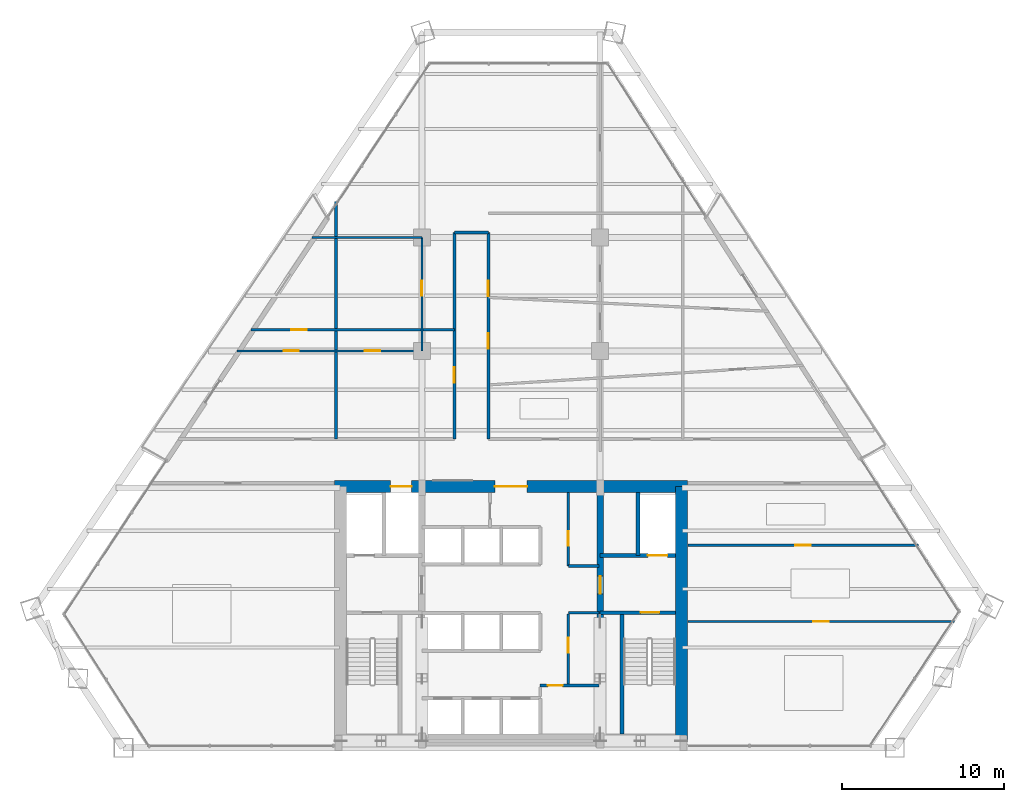
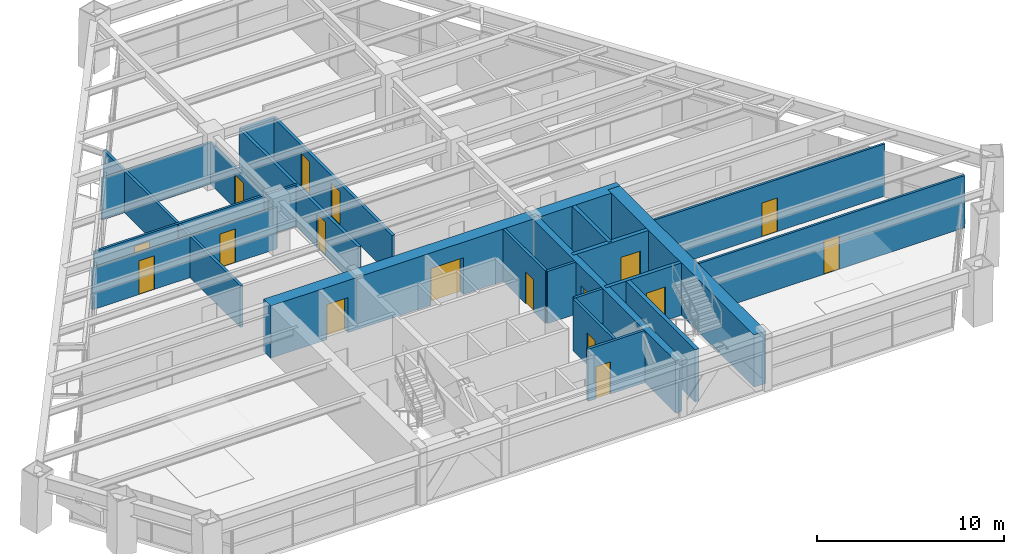
# One storey, part 11 of 14: 22 walls, 17 doors, 17 openings.
"""IFC4 building model written with IfcOpenShell, lengths in metres."""

import ifcopenshell
import ifcopenshell.guid

model = None  # the IFC model being written
_history = None  # IfcOwnerHistory: only IFC2X3 demands one
_inside = {}  # id of a spatial element -> (the spatial element, [elements in it])
_under = {}  # id of a project, library or spatial element -> (it, [spatial elements below it])
_declared = {}  # id of a project -> (the project, [libraries it declares])
_typed = {}  # id of a type object -> (the type object, [elements of that type])
_made_of = {}  # id of a material, layer set ... -> (it, [elements and type objects made of it])


def new_model(schema):
    """Start an empty IFC model of exactly this schema.

    Asked for "IFC4X3", IfcOpenShell would pick the latest addendum, in which some entities
    have other attributes; the version numbers below select the first issue.
    IFC2X3 requires an IfcOwnerHistory on every rooted entity: one is made here for all.
    """
    global model, _history
    if schema == "IFC4X3":
        model = ifcopenshell.file(schema_version=(4, 3, 0, 0))
    else:
        model = ifcopenshell.file(schema=schema)
    _inside.clear()
    _under.clear()
    _declared.clear()
    _typed.clear()
    _made_of.clear()
    _history = None
    if model.schema == "IFC2X3":
        org = make("IfcOrganization", Name="unknown")
        user = make(
            "IfcPersonAndOrganization",
            ThePerson=make("IfcPerson", FamilyName="unknown"),
            TheOrganization=org,
        )
        app = make(
            "IfcApplication",
            ApplicationDeveloper=org,
            Version="unknown",
            ApplicationFullName="unknown",
            ApplicationIdentifier="unknown",
        )
        _history = make(
            "IfcOwnerHistory",
            OwningUser=user,
            OwningApplication=app,
            ChangeAction="ADDED",
            CreationDate=0,
        )
    return model


def make(cls, **values):
    """One entity of the class cls with the attributes given. An attribute that is None is left unset."""
    return model.create_entity(
        cls, **{name: value for name, value in values.items() if value is not None}
    )


def rooted(cls, **values):
    """An entity with a GlobalId (a new one), such as an element, a storey or a relation."""
    return make(cls, GlobalId=ifcopenshell.guid.new(), OwnerHistory=_history, **values)


def si_unit(unit_type, name, prefix=None):
    """IfcSIUnit, for example si_unit("LENGTHUNIT", "METRE", prefix="MILLI")."""
    return make("IfcSIUnit", UnitType=unit_type, Prefix=prefix, Name=name)


def assignment(units):
    """IfcUnitAssignment: the units of a project."""
    return None if units is None else make("IfcUnitAssignment", Units=units)


def point(xyz):
    """IfcCartesianPoint."""
    return None if xyz is None else make("IfcCartesianPoint", Coordinates=xyz)


def direction(xyz):
    """IfcDirection."""
    return None if xyz is None else make("IfcDirection", DirectionRatios=xyz)


def frame(location, z_axis=None, x_axis=None):
    """IfcAxis2Placement3D, a coordinate frame: its origin and axes. An axis left out is left unset."""
    return make(
        "IfcAxis2Placement3D",
        Location=point(location),
        Axis=direction(z_axis),
        RefDirection=direction(x_axis),
    )


def frame_2d(location, x_axis=None):
    """IfcAxis2Placement2D, a coordinate frame in the plane: its origin and x axis."""
    return make(
        "IfcAxis2Placement2D", Location=point(location), RefDirection=direction(x_axis)
    )


def origin():
    """The frame at (0, 0, 0) with its axes left unset."""
    return frame((0.0, 0.0, 0.0))


def place(relative_to, where):
    """IfcLocalPlacement: puts the frame where relative to a parent placement (None: the world)."""
    return make(
        "IfcLocalPlacement", PlacementRelTo=relative_to, RelativePlacement=where
    )


def context(
    kind, dimensions, precision=None, world=None, true_north=None, identifier=None
):
    """IfcGeometricRepresentationContext, for example the 3D "Model" context."""
    return make(
        "IfcGeometricRepresentationContext",
        ContextIdentifier=identifier,
        ContextType=kind,
        CoordinateSpaceDimension=dimensions,
        Precision=precision,
        WorldCoordinateSystem=world,
        TrueNorth=true_north,
    )


def subcontext(parent, identifier, kind, view, scale=None):
    """IfcGeometricRepresentationSubContext, for example "Body" below "Model"."""
    return make(
        "IfcGeometricRepresentationSubContext",
        ContextIdentifier=identifier,
        ContextType=kind,
        ParentContext=parent,
        TargetScale=scale,
        TargetView=view,
    )


def project(units=None, contexts=None):
    """IfcProject with its units and contexts."""
    return rooted(
        "IfcProject",
        Name="project",
        RepresentationContexts=contexts,
        UnitsInContext=assignment(units),
    )


def spatial(cls, under=None, at=None, **own):
    """A site, building, storey or space (cls), placed at a placement, below another one or the project."""
    s = rooted(cls, ObjectPlacement=at, **own)
    if under is not None:
        _under.setdefault(under.id(), (under, []))[1].append(s)
    return s


def profile(cls, at=None, kind="AREA", **sizes):
    """A parametric profile (cls). Its sizes go by their IFC names, for example OverallWidth=200.0."""
    return make(cls, ProfileType=kind, Position=at, **sizes)


def rectangle(**sizes):
    """IfcRectangleProfileDef."""
    return profile("IfcRectangleProfileDef", **sizes)


def extrude(swept, where, along, depth):
    """IfcExtrudedAreaSolid: the profile swept, set in the frame where, extruded along a direction by depth."""
    return make(
        "IfcExtrudedAreaSolid",
        SweptArea=swept,
        Position=where,
        ExtrudedDirection=direction(along),
        Depth=depth,
    )


def shape(context_of_items, identifier, shape_type, items):
    """IfcShapeRepresentation: the items that make up one representation, for example the "Body"."""
    return make(
        "IfcShapeRepresentation",
        ContextOfItems=context_of_items,
        RepresentationIdentifier=identifier,
        RepresentationType=shape_type,
        Items=items,
    )


def source(mapping_origin, context_of_items, identifier, shape_type, items):
    """IfcRepresentationMap: a shape defined once, which mapped items show again and again."""
    return make(
        "IfcRepresentationMap",
        MappingOrigin=mapping_origin,
        MappedRepresentation=shape(context_of_items, identifier, shape_type, items),
    )


def transform(
    local_origin,
    x_axis=None,
    y_axis=None,
    z_axis=None,
    scale=None,
    scale2=None,
    scale3=None,
    uniform=True,
):
    """IfcCartesianTransformationOperator3D, or its non-uniform kind. x_axis, y_axis, z_axis: its Axis1, 2, 3."""
    if uniform:
        return make(
            "IfcCartesianTransformationOperator3D",
            Axis1=direction(x_axis),
            Axis2=direction(y_axis),
            LocalOrigin=point(local_origin),
            Scale=scale,
            Axis3=direction(z_axis),
        )
    return make(
        "IfcCartesianTransformationOperator3DnonUniform",
        Axis1=direction(x_axis),
        Axis2=direction(y_axis),
        LocalOrigin=point(local_origin),
        Scale=scale,
        Axis3=direction(z_axis),
        Scale2=scale2,
        Scale3=scale3,
    )


def mapped(mapping_source, mapping_target):
    """IfcMappedItem: shows the shape of a source again, moved by a transform."""
    return make(
        "IfcMappedItem", MappingSource=mapping_source, MappingTarget=mapping_target
    )


def material(Name=None, Category=None):
    """IfcMaterial."""
    return make("IfcMaterial", Name=Name, Category=Category)


def layer(
    of_material, thickness, ventilated=None, Name=None, Category=None, Priority=None
):
    """IfcMaterialLayer: one layer of a wall or slab, of a material (None: an air gap)."""
    return make(
        "IfcMaterialLayer",
        Material=of_material,
        LayerThickness=thickness,
        IsVentilated=ventilated,
        Name=Name,
        Category=Category,
        Priority=Priority,
    )


def layer_set(layers, Name=None):
    """IfcMaterialLayerSet."""
    return make("IfcMaterialLayerSet", MaterialLayers=layers, LayerSetName=Name)


def made_of(thing, what):
    """Note that an element or type object is made of a material, layer set ...; save() writes the relation."""
    if what is not None:
        _made_of.setdefault(what.id(), (what, []))[1].append(thing)
    return thing


def type_object(cls, material=None, **own):
    """A type object (cls), such as IfcWallType, which elements share."""
    return made_of(rooted(cls, **own), material)


def type_shapes(of_type, sources):
    """Give a type object the sources (RepresentationMaps) that its elements show as mapped items."""
    of_type.RepresentationMaps = sources


def element(
    cls,
    number,
    at=None,
    inside=None,
    cuts=None,
    type_object=None,
    material=None,
    context=None,
    identifier="Body",
    shape_type=None,
    held_by="IfcProductDefinitionShape",
    body=None,
    shapes=None,
    **own,
):
    """One element of the class cls, such as IfcWall. Its Tag is "e" and its number.

    at: its placement. inside: the storey or other place that contains it. cuts: it is an
    opening in that element (IfcRelVoidsElement). A single representation is given by context,
    identifier, shape_type and body (its items); several are given by shapes. held_by: the class
    of the entity that holds the representations. save() writes the other relations.
    """
    e = rooted(cls, Tag="e%d" % number, ObjectPlacement=at, **own)
    if body is not None:
        shapes = [shape(context, identifier, shape_type, body)]
    if shapes is not None:
        e.Representation = make(held_by, Representations=shapes)
    if inside is not None:
        _inside.setdefault(inside.id(), (inside, []))[1].append(e)
    if cuts is not None:
        rooted(
            "IfcRelVoidsElement", RelatingBuildingElement=cuts, RelatedOpeningElement=e
        )
    if type_object is not None:
        _typed.setdefault(type_object.id(), (type_object, []))[1].append(e)
    return made_of(e, material)


def fill(opening, filler):
    """IfcRelFillsElement: the door or window that sits in an opening."""
    return rooted(
        "IfcRelFillsElement",
        RelatingOpeningElement=opening,
        RelatedBuildingElement=filler,
    )


def aggregate(whole, parts):
    """IfcRelAggregates: a whole, such as a stair, and the parts it consists of."""
    return rooted("IfcRelAggregates", RelatingObject=whole, RelatedObjects=parts)


def save(model, path):
    """Write the relations noted so far, then the file.

    IfcRelAggregates (storeys below a building ...), IfcRelContainedInSpatialStructure (elements
    in a storey), IfcRelDefinesByType, IfcRelAssociatesMaterial and IfcRelDeclares: one each for
    every whole, place, type object, material and project.
    """
    for whole, parts in _under.values():
        aggregate(whole, parts)
    for where, things in _inside.values():
        rooted(
            "IfcRelContainedInSpatialStructure",
            RelatedElements=things,
            RelatingStructure=where,
        )
    for kind, things in _typed.values():
        rooted("IfcRelDefinesByType", RelatedObjects=things, RelatingType=kind)
    for what, things in _made_of.values():
        rooted("IfcRelAssociatesMaterial", RelatedObjects=things, RelatingMaterial=what)
    for by, libraries in _declared.values():
        rooted("IfcRelDeclares", RelatingContext=by, RelatedDefinitions=libraries)
    model.write(path)


model = new_model("IFC4")

# Units and contexts
model_context = context("Model", 3, precision=1e-05, world=origin(), true_north=direction((0.0, 1.0)))
body_context = subcontext(model_context, "Body", "Model", "MODEL_VIEW")
ifc_project = project(units=[si_unit("LENGTHUNIT", "METRE"), si_unit("AREAUNIT", "SQUARE_METRE"), si_unit("VOLUMEUNIT", "CUBIC_METRE"), si_unit("PLANEANGLEUNIT", "RADIAN"), si_unit("MASSUNIT", "GRAM", prefix="KILO")], contexts=[model_context])

# Site, building, storey
site_placement = place(None, origin())
site = spatial("IfcSite", under=ifc_project, at=site_placement, CompositionType="ELEMENT")
building_placement = place(site_placement, origin())
building = spatial("IfcBuilding", under=site, at=building_placement, Name="Varnakhor Terracotta Tower", CompositionType="ELEMENT")
storey_placement = place(building_placement, frame((0.0, 0.0, 117.300048828125)))
storey = spatial("IfcBuildingStorey", under=building, at=storey_placement, Name="L29", CompositionType="ELEMENT", Elevation=117.300048828125)

# Wall, openings, doors
ifc_material_1 = material(Name="Concrete C60/75", Category="concrete")
ifc_layer_1 = layer(ifc_material_1, 0.75, Name="Concrete C60/75")
ifc_layer_set_1 = layer_set([ifc_layer_1], Name="Concrete C60/75")
wall_type_1 = type_object("IfcWallType", Name="WAL-CORE-750", PredefinedType="SHEAR", material=ifc_layer_set_1)
wall_1_placement = place(storey_placement, frame((-10.89990234375, 16.125, 0.0), z_axis=(0.0, 0.0, 1.0), x_axis=(1.0, 0.0, 0.0)))
wall_1 = element("IfcWall", 1, at=wall_1_placement, inside=storey, type_object=wall_type_1, Name="L29 North Core Shear Wall", PredefinedType="SHEAR", context=body_context, shape_type="SweptSolid", body=[
    extrude(rectangle(XDim=21.7998046875, YDim=0.75, at=frame_2d((10.89990234375, 0.0))), origin(), (0.0, 0.0, 1.0), 3.419921875),
])
opening_1_placement = place(wall_1_placement, frame((3.469970703125, 0.0, 0.0)))
opening_1 = element("IfcOpeningElement", 2, at=opening_1_placement, cuts=wall_1, Name="Opening LD-03", PredefinedType="OPENING", context=body_context, shape_type="SweptSolid", body=[
    extrude(rectangle(XDim=1.300048828125, YDim=2.300048828125, at=frame_2d((0.64990234375, 1.14990234375))), frame((0.0, 0.385009765625, 0.0), z_axis=(0.0, -1.0, 0.0), x_axis=(1.0, 0.0, 0.0)), (0.0, 0.0, 1.0), 0.77001953125),
])
opening_2_placement = place(wall_1_placement, frame((9.89990234375, 0.0, 0.0)))
opening_2 = element("IfcOpeningElement", 3, at=opening_2_placement, cuts=wall_1, Name="Opening DR-32", PredefinedType="OPENING", context=body_context, shape_type="SweptSolid", body=[
    extrude(rectangle(XDim=2.0, YDim=2.39990234375, at=frame_2d((1.0, 1.199951171875))), frame((0.0, 0.385009765625, 0.0), z_axis=(0.0, -1.0, 0.0), x_axis=(1.0, 0.0, 0.0)), (0.0, 0.0, 1.0), 0.77001953125),
])
ifc_material_2 = material(Name="Heavy-Duty Goods Sliding Lift Landing Door", Category="steel")
door_type_1 = type_object("IfcDoorType", Name="LD-SRV-1300X2300", OperationType="NOTDEFINED", PredefinedType="DOOR", material=ifc_material_2)
shared_shape_1 = source(origin(), body_context, "Body", "SweptSolid", [
    extrude(rectangle(XDim=1.300048828125, YDim=2.300048828125, at=frame_2d((0.64990234375, 1.14990234375))), frame((0.0, 0.02490234375, 0.0), z_axis=(0.0, -1.0, 0.0), x_axis=(1.0, 0.0, 0.0)), (0.0, 0.0, 1.0), 0.050048828125),
])
type_shapes(door_type_1, [shared_shape_1])
door_1_placement = place(opening_1_placement, origin())
door_1 = element("IfcDoor", 4, at=door_1_placement, inside=storey, type_object=door_type_1, Name="L29 Service Lift SVL-1 Landing Door", OperationType="SLIDING_TO_RIGHT", OverallHeight=2.300048828125, OverallWidth=1.300048828125, PredefinedType="DOOR", context=body_context, shape_type="MappedRepresentation", body=[
    mapped(shared_shape_1, transform((0.0, 0.0, 0.0), scale=1.0)),
])
fill(opening_1, door_1)
ifc_material_3 = material(Name="Acoustic Double Assembly Fire Door", Category="wood")
door_type_2 = type_object("IfcDoorType", Name="DR-HALL-2000X2400", OperationType="NOTDEFINED", PredefinedType="DOOR", material=ifc_material_3)
shared_shape_2 = source(origin(), body_context, "Body", "SweptSolid", [
    extrude(rectangle(XDim=2.0, YDim=2.39990234375, at=frame_2d((1.0, 1.199951171875))), frame((0.0, 0.02490234375, 0.0), z_axis=(0.0, -1.0, 0.0), x_axis=(1.0, 0.0, 0.0)), (0.0, 0.0, 1.0), 0.050048828125),
])
type_shapes(door_type_2, [shared_shape_2])
door_2_placement = place(opening_2_placement, origin())
door_2 = element("IfcDoor", 5, at=door_2_placement, inside=storey, type_object=door_type_2, Name="L29 Core Main Lobby Double Door", OperationType="DOUBLE_DOOR_SINGLE_SWING", OverallHeight=2.39990234375, OverallWidth=2.0, PredefinedType="DOOR", context=body_context, shape_type="MappedRepresentation", body=[
    mapped(shared_shape_2, transform((0.0, 0.0, 0.0), scale=1.0)),
])
fill(opening_2, door_2)

# Wall
wall_2_placement = place(storey_placement, frame((10.52490234375, 0.47509765625, 0.0), z_axis=(0.0, 0.0, 1.0), x_axis=(0.0, 1.0, 0.0)))
element("IfcWall", 6, at=wall_2_placement, inside=storey, type_object=wall_type_1, Name="L29 East Core Shear Wall", PredefinedType="SHEAR", context=body_context, shape_type="SweptSolid", body=[
    extrude(rectangle(XDim=15.64990234375, YDim=0.75, at=frame_2d((7.824951171875, 0.0))), origin(), (0.0, 0.0, 1.0), 3.419921875),
])

# Wall, opening, door
ifc_material_4 = material(Name="Concrete C50/60", Category="concrete")
ifc_layer_2 = layer(ifc_material_4, 0.39990234375, Name="Concrete C50/60")
ifc_layer_set_2 = layer_set([ifc_layer_2], Name="Concrete C50/60")
wall_type_2 = type_object("IfcWallType", Name="WAL-CORE-WEB-400", PredefinedType="SHEAR", material=ifc_layer_set_2)
wall_3_placement = place(storey_placement, frame((5.5, 0.47509765625, 0.0), z_axis=(0.0, 0.0, 1.0), x_axis=(0.0, 1.0, 0.0)))
wall_3 = element("IfcWall", 7, at=wall_3_placement, inside=storey, type_object=wall_type_2, Name="L29 East Core Web Shear Wall", PredefinedType="SHEAR", context=body_context, shape_type="SweptSolid", body=[
    extrude(rectangle(XDim=15.64990234375, YDim=0.39990234375, at=frame_2d((7.824951171875, 0.0))), origin(), (0.0, 0.0, 1.0), 3.419921875),
])
opening_3_placement = place(wall_3_placement, frame((9.02490234375, 0.0, 0.0)))
opening_3 = element("IfcOpeningElement", 8, at=opening_3_placement, cuts=wall_3, Name="Opening DR-25", PredefinedType="OPENING", context=body_context, shape_type="SweptSolid", body=[
    extrude(rectangle(XDim=1.10009765625, YDim=2.199951171875, at=frame_2d((0.550048828125, 1.10009765625))), frame((0.0, 0.2099609375, 0.0), z_axis=(0.0, -1.0, 0.0), x_axis=(1.0, 0.0, 0.0)), (0.0, 0.0, 1.0), 0.419921875),
])
ifc_material_5 = material(Name="Firefighting Lobby Self-Closing Fire Door", Category="steel")
door_type_3 = type_object("IfcDoorType", Name="DR-FFL-1100X2200", OperationType="NOTDEFINED", PredefinedType="DOOR", material=ifc_material_5)
shared_shape_3 = source(origin(), body_context, "Body", "SweptSolid", [
    extrude(rectangle(XDim=1.10009765625, YDim=2.199951171875, at=frame_2d((0.550048828125, 1.10009765625))), frame((0.0, 0.02490234375, 0.0), z_axis=(0.0, -1.0, 0.0), x_axis=(1.0, 0.0, 0.0)), (0.0, 0.0, 1.0), 0.050048828125),
])
type_shapes(door_type_3, [shared_shape_3])
door_3_placement = place(opening_3_placement, origin())
door_3 = element("IfcDoor", 9, at=door_3_placement, inside=storey, type_object=door_type_3, Name="L29 East Firefighting Lobby Door", OperationType="SINGLE_SWING_LEFT", OverallHeight=2.199951171875, OverallWidth=1.10009765625, PredefinedType="DOOR", context=body_context, shape_type="MappedRepresentation", body=[
    mapped(shared_shape_3, transform((0.0, 0.0, 0.0), scale=1.0)),
])
fill(opening_3, door_3)

ifc_material_6 = material(Name="Fire-Rated Gypsum Stud Partition", Category="gypsum")
ifc_layer_3 = layer(ifc_material_6, 0.18505859375, Name="Fire-Rated Gypsum Stud Partition")
ifc_layer_set_3 = layer_set([ifc_layer_3], Name="Fire-Rated Gypsum Stud Partition")
wall_type_3 = type_object("IfcWallType", Name="WAL-CORR-185", PredefinedType="PARTITIONING", material=ifc_layer_set_3)
wall_4_placement = place(storey_placement, frame((-3.5, 19.050048828125, 0.0), z_axis=(0.0, 0.0, 1.0), x_axis=(0.0, 1.0, 0.0)))
wall_4 = element("IfcWall", 10, at=wall_4_placement, inside=storey, type_object=wall_type_3, Name="L29 Spine West Wall", PredefinedType="PARTITIONING", context=body_context, shape_type="SweptSolid", body=[
    extrude(rectangle(XDim=12.75, YDim=0.18505859375, at=frame_2d((6.375, 0.0))), origin(), (0.0, 0.0, 1.0), 2.717041015625),
])
opening_4_placement = place(wall_4_placement, frame((3.486083984375, 0.0, 0.0)))
opening_4 = element("IfcOpeningElement", 11, at=opening_4_placement, cuts=wall_4, Name="Opening DR-94", PredefinedType="OPENING", context=body_context, shape_type="SweptSolid", body=[
    extrude(rectangle(XDim=0.949951171875, YDim=2.199951171875, at=frame_2d((0.47509765625, 1.10009765625))), frame((0.0, 0.1025390625, 0.0), z_axis=(0.0, -1.0, 0.0), x_axis=(1.0, 0.0, 0.0)), (0.0, 0.0, 1.0), 0.205078125),
])
ifc_material_7 = material(Name="Acoustic Glazed-Vision Timber Office Door", Category="wood")
door_type_4 = type_object("IfcDoorType", Name="DR-OFF-950X2200", OperationType="NOTDEFINED", PredefinedType="DOOR", material=ifc_material_7)
shared_shape_4 = source(origin(), body_context, "Body", "SweptSolid", [
    extrude(rectangle(XDim=0.949951171875, YDim=2.199951171875, at=frame_2d((0.47509765625, 1.10009765625))), frame((0.0, 0.02490234375, 0.0), z_axis=(0.0, -1.0, 0.0), x_axis=(1.0, 0.0, 0.0)), (0.0, 0.0, 1.0), 0.050048828125),
])
type_shapes(door_type_4, [shared_shape_4])
door_4_placement = place(opening_4_placement, origin())
door_4 = element("IfcDoor", 12, at=door_4_placement, inside=storey, type_object=door_type_4, Name="L29 Spine West Door", OperationType="SINGLE_SWING_RIGHT", OverallHeight=2.199951171875, OverallWidth=0.949951171875, PredefinedType="DOOR", context=body_context, shape_type="MappedRepresentation", body=[
    mapped(shared_shape_4, transform((0.0, 0.0, 0.0), scale=1.0)),
])
fill(opening_4, door_4)

# Wall, openings, doors
wall_5_placement = place(storey_placement, frame((-1.39990234375, 19.050048828125, 0.0), z_axis=(0.0, 0.0, 1.0), x_axis=(0.0, 1.0, 0.0)))
wall_5 = element("IfcWall", 13, at=wall_5_placement, inside=storey, type_object=wall_type_3, Name="L29 Spine East Wall", PredefinedType="PARTITIONING", context=body_context, shape_type="SweptSolid", body=[
    extrude(rectangle(XDim=12.75, YDim=0.18505859375, at=frame_2d((6.375, 0.0))), origin(), (0.0, 0.0, 1.0), 2.717041015625),
])
opening_5_placement = place(wall_5_placement, frame((8.830078125, 0.0, 0.0)))
opening_5 = element("IfcOpeningElement", 14, at=opening_5_placement, cuts=wall_5, Name="Opening DR-94", PredefinedType="OPENING", context=body_context, shape_type="SweptSolid", body=[
    extrude(rectangle(XDim=0.949951171875, YDim=2.199951171875, at=frame_2d((0.47509765625, 1.10009765625))), frame((0.0, 0.1025390625, 0.0), z_axis=(0.0, -1.0, 0.0), x_axis=(1.0, 0.0, 0.0)), (0.0, 0.0, 1.0), 0.205078125),
])
opening_6_placement = place(wall_5_placement, frame((5.593017578125, 0.0, 0.0)))
opening_6 = element("IfcOpeningElement", 15, at=opening_6_placement, cuts=wall_5, Name="Opening DR-94", PredefinedType="OPENING", context=body_context, shape_type="SweptSolid", body=[
    extrude(rectangle(XDim=0.949951171875, YDim=2.199951171875, at=frame_2d((0.47509765625, 1.10009765625))), frame((0.0, 0.1025390625, 0.0), z_axis=(0.0, -1.0, 0.0), x_axis=(1.0, 0.0, 0.0)), (0.0, 0.0, 1.0), 0.205078125),
])
door_5_placement = place(opening_5_placement, origin())
door_5 = element("IfcDoor", 16, at=door_5_placement, inside=storey, type_object=door_type_4, Name="L29 Spine East Door", OperationType="SINGLE_SWING_LEFT", OverallHeight=2.199951171875, OverallWidth=0.949951171875, PredefinedType="DOOR", context=body_context, shape_type="MappedRepresentation", body=[
    mapped(shared_shape_4, transform((0.0, 0.0, 0.0), scale=1.0)),
])
fill(opening_5, door_5)
door_6_placement = place(opening_6_placement, origin())
door_6 = element("IfcDoor", 17, at=door_6_placement, inside=storey, type_object=door_type_4, Name="L29 Director Office 3 B12 Door", OperationType="SINGLE_SWING_RIGHT", OverallHeight=2.199951171875, OverallWidth=0.949951171875, PredefinedType="DOOR", context=body_context, shape_type="MappedRepresentation", body=[
    mapped(shared_shape_4, transform((0.0, 0.0, 0.0), scale=1.0)),
])
fill(opening_6, door_6)

# Wall
wall_6_placement = place(storey_placement, frame((-3.5, 31.800048828125, 0.0), z_axis=(0.0, 0.0, 1.0), x_axis=(1.0, 0.0, 0.0)))
element("IfcWall", 18, at=wall_6_placement, inside=storey, type_object=wall_type_3, Name="L29 Spine North End Wall", PredefinedType="PARTITIONING", context=body_context, shape_type="SweptSolid", body=[
    extrude(rectangle(XDim=2.10009765625, YDim=0.18505859375, at=frame_2d((1.050048828125, 0.0))), origin(), (0.0, 0.0, 1.0), 2.717041015625),
])

# Wall, opening, door
ifc_material_8 = material(Name="Concrete C40/50", Category="concrete")
ifc_layer_4 = layer(ifc_material_8, 0.219970703125, Name="Concrete C40/50")
ifc_layer_set_4 = layer_set([ifc_layer_4], Name="Concrete C40/50")
wall_type_4 = type_object("IfcWallType", Name="WAL-FFLOBBY-220", PredefinedType="SOLIDWALL", material=ifc_layer_set_4)
wall_7_placement = place(storey_placement, frame((10.14990234375, 8.35009765625, 0.0), z_axis=(0.0, 0.0, 1.0), x_axis=(-1.0, 0.0, 0.0)))
wall_7 = element("IfcWall", 19, at=wall_7_placement, inside=storey, type_object=wall_type_4, Name="L29 East Firefighting Lobby Stair Wall", PredefinedType="SOLIDWALL", context=body_context, shape_type="SweptSolid", body=[
    extrude(rectangle(XDim=4.64990234375, YDim=0.219970703125, at=frame_2d((2.324951171875, 0.0))), origin(), (0.0, 0.0, 1.0), 3.419921875),
])
opening_7_placement = place(wall_7_placement, frame((1.0, 0.0, 0.0)))
opening_7 = element("IfcOpeningElement", 20, at=opening_7_placement, cuts=wall_7, Name="Opening DR-34", PredefinedType="OPENING", context=body_context, shape_type="SweptSolid", body=[
    extrude(rectangle(XDim=1.14990234375, YDim=2.199951171875, at=frame_2d((0.574951171875, 1.10009765625))), frame((0.0, 0.1201171875, 0.0), z_axis=(0.0, -1.0, 0.0), x_axis=(1.0, 0.0, 0.0)), (0.0, 0.0, 1.0), 0.239990234375),
])
ifc_material_9 = material(Name="Self-Closing Smoke-Sealed Steel Fire Door", Category="steel")
door_type_5 = type_object("IfcDoorType", Name="DR-STAIR-1150X2200", OperationType="NOTDEFINED", PredefinedType="DOOR", material=ifc_material_9)
shared_shape_5 = source(origin(), body_context, "Body", "SweptSolid", [
    extrude(rectangle(XDim=1.14990234375, YDim=2.199951171875, at=frame_2d((0.574951171875, 1.10009765625))), frame((0.0, 0.02490234375, 0.0), z_axis=(0.0, -1.0, 0.0), x_axis=(1.0, 0.0, 0.0)), (0.0, 0.0, 1.0), 0.050048828125),
])
type_shapes(door_type_5, [shared_shape_5])
door_7_placement = place(opening_7_placement, origin())
door_7 = element("IfcDoor", 21, at=door_7_placement, inside=storey, type_object=door_type_5, Name="L29 Exit Stair ST-2 Fire Door", OperationType="SINGLE_SWING_RIGHT", OverallHeight=2.199951171875, OverallWidth=1.14990234375, PredefinedType="DOOR", context=body_context, shape_type="MappedRepresentation", body=[
    mapped(shared_shape_5, transform((0.0, 0.0, 0.0), scale=1.0)),
])
fill(opening_7, door_7)

# Wall, openings, doors
ifc_material_10 = material(Name="Acoustic Metal-Stud Partition", Category="gypsum")
ifc_layer_5 = layer(ifc_material_10, 0.139892578125, Name="Acoustic Metal-Stud Partition")
ifc_layer_set_5 = layer_set([ifc_layer_5], Name="Acoustic Metal-Stud Partition")
wall_type_5 = type_object("IfcWallType", Name="WAL-PART-140", PredefinedType="PARTITIONING", material=ifc_layer_set_5)
wall_8_placement = place(storey_placement, frame((-16.91357421875, 24.5, 0.0), z_axis=(0.0, 0.0, 1.0), x_axis=(1.0, 0.0, 0.0)))
wall_8 = element("IfcWall", 22, at=wall_8_placement, inside=storey, type_object=wall_type_5, Name="L29 West Y24.5 Column Wall", PredefinedType="PARTITIONING", context=body_context, shape_type="SweptSolid", body=[
    extrude(rectangle(XDim=11.41357421875, YDim=0.139892578125, at=frame_2d((5.706787109375, 0.0))), origin(), (0.0, 0.0, 1.0), 2.717041015625),
])
opening_8_placement = place(wall_8_placement, frame((2.8740234375, 0.0, 0.0)))
opening_8 = element("IfcOpeningElement", 23, at=opening_8_placement, cuts=wall_8, Name="Opening DR-94", PredefinedType="OPENING", context=body_context, shape_type="SweptSolid", body=[
    extrude(rectangle(XDim=0.949951171875, YDim=2.199951171875, at=frame_2d((0.47509765625, 1.10009765625))), frame((0.0, 0.080078125, 0.0), z_axis=(0.0, -1.0, 0.0), x_axis=(1.0, 0.0, 0.0)), (0.0, 0.0, 1.0), 0.159912109375),
])
opening_9_placement = place(wall_8_placement, frame((7.884765625, 0.0, 0.0)))
opening_9 = element("IfcOpeningElement", 24, at=opening_9_placement, cuts=wall_8, Name="Opening DR-94", PredefinedType="OPENING", context=body_context, shape_type="SweptSolid", body=[
    extrude(rectangle(XDim=0.949951171875, YDim=2.199951171875, at=frame_2d((0.47509765625, 1.10009765625))), frame((0.0, 0.080078125, 0.0), z_axis=(0.0, -1.0, 0.0), x_axis=(1.0, 0.0, 0.0)), (0.0, 0.0, 1.0), 0.159912109375),
])
door_8_placement = place(opening_8_placement, origin())
door_8 = element("IfcDoor", 25, at=door_8_placement, inside=storey, type_object=door_type_4, Name="L29 Director Office 2 Door", OperationType="SINGLE_SWING_LEFT", OverallHeight=2.199951171875, OverallWidth=0.949951171875, PredefinedType="DOOR", context=body_context, shape_type="MappedRepresentation", body=[
    mapped(shared_shape_4, transform((0.0, 0.0, 0.0), scale=1.0)),
])
fill(opening_8, door_8)
door_9_placement = place(opening_9_placement, origin())
door_9 = element("IfcDoor", 26, at=door_9_placement, inside=storey, type_object=door_type_4, Name="L29 Executive Dining Salon B14 Door", OperationType="SINGLE_SWING_RIGHT", OverallHeight=2.199951171875, OverallWidth=0.949951171875, PredefinedType="DOOR", context=body_context, shape_type="MappedRepresentation", body=[
    mapped(shared_shape_4, transform((0.0, 0.0, 0.0), scale=1.0)),
])
fill(opening_9, door_9)

# Wall, opening, door
wall_9_placement = place(storey_placement, frame((-5.5, 24.5, 0.0), z_axis=(0.0, 0.0, 1.0), x_axis=(0.0, 1.0, 0.0)))
wall_9 = element("IfcWall", 27, at=wall_9_placement, inside=storey, type_object=wall_type_5, Name="L29 West Mid Link Wall", PredefinedType="PARTITIONING", context=body_context, shape_type="SweptSolid", body=[
    extrude(rectangle(XDim=7.0, YDim=0.139892578125, at=frame_2d((3.5, 0.0))), origin(), (0.0, 0.0, 1.0), 2.717041015625),
])
opening_10_placement = place(wall_9_placement, frame((3.393310546875, 0.0, 0.0)))
opening_10 = element("IfcOpeningElement", 28, at=opening_10_placement, cuts=wall_9, Name="Opening DR-94", PredefinedType="OPENING", context=body_context, shape_type="SweptSolid", body=[
    extrude(rectangle(XDim=0.949951171875, YDim=2.199951171875, at=frame_2d((0.47509765625, 1.10009765625))), frame((0.0, 0.080078125, 0.0), z_axis=(0.0, -1.0, 0.0), x_axis=(1.0, 0.0, 0.0)), (0.0, 0.0, 1.0), 0.159912109375),
])
door_10_placement = place(opening_10_placement, origin())
door_10 = element("IfcDoor", 29, at=door_10_placement, inside=storey, type_object=door_type_4, Name="L29 Innovation Workshop Door", OperationType="SINGLE_SWING_LEFT", OverallHeight=2.199951171875, OverallWidth=0.949951171875, PredefinedType="DOOR", context=body_context, shape_type="MappedRepresentation", body=[
    mapped(shared_shape_4, transform((0.0, 0.0, 0.0), scale=1.0)),
])
fill(opening_10, door_10)

# Wall
wall_10_placement = place(storey_placement, frame((-12.26953125, 31.5, 0.0), z_axis=(0.0, 0.0, 1.0), x_axis=(1.0, 0.0, 0.0)))
element("IfcWall", 30, at=wall_10_placement, inside=storey, type_object=wall_type_5, Name="L29 West Y31.5 Column Wall", PredefinedType="PARTITIONING", context=body_context, shape_type="SweptSolid", body=[
    extrude(rectangle(XDim=6.76953125, YDim=0.139892578125, at=frame_2d((3.384765625, 0.0))), origin(), (0.0, 0.0, 1.0), 2.717041015625),
])

# Wall, opening, door
wall_11_placement = place(storey_placement, frame((-16.051025390625, 25.800048828125, 0.0), z_axis=(0.0, 0.0, 1.0), x_axis=(1.0, 0.0, 0.0)))
wall_11 = element("IfcWall", 31, at=wall_11_placement, inside=storey, type_object=wall_type_5, Name="L29 West Wing Cut 1", PredefinedType="PARTITIONING", context=body_context, shape_type="SweptSolid", body=[
    extrude(rectangle(XDim=12.551025390625, YDim=0.139892578125, at=frame_2d((6.275390625, 0.0))), origin(), (0.0, 0.0, 1.0), 2.717041015625),
])
opening_11_placement = place(wall_11_placement, frame((2.4833984375, 0.0, 0.0)))
opening_11 = element("IfcOpeningElement", 32, at=opening_11_placement, cuts=wall_11, Name="Opening DR-94", PredefinedType="OPENING", context=body_context, shape_type="SweptSolid", body=[
    extrude(rectangle(XDim=0.949951171875, YDim=2.199951171875, at=frame_2d((0.47509765625, 1.10009765625))), frame((0.0, 0.080078125, 0.0), z_axis=(0.0, -1.0, 0.0), x_axis=(1.0, 0.0, 0.0)), (0.0, 0.0, 1.0), 0.159912109375),
])
door_11_placement = place(opening_11_placement, origin())
door_11 = element("IfcDoor", 33, at=door_11_placement, inside=storey, type_object=door_type_4, Name="L29 Regional HQ Workplace B16 Door", OperationType="SINGLE_SWING_RIGHT", OverallHeight=2.199951171875, OverallWidth=0.949951171875, PredefinedType="DOOR", context=body_context, shape_type="MappedRepresentation", body=[
    mapped(shared_shape_4, transform((0.0, 0.0, 0.0), scale=1.0)),
])
fill(opening_11, door_11)

wall_12_placement = place(storey_placement, frame((10.919921875, 7.800048828125, 0.0), z_axis=(0.0, 0.0, 1.0), x_axis=(1.0, 0.0, 0.0)))
wall_12 = element("IfcWall", 34, at=wall_12_placement, inside=storey, type_object=wall_type_5, Name="L29 South East Cut 1", PredefinedType="PARTITIONING", context=body_context, shape_type="SweptSolid", body=[
    extrude(rectangle(XDim=16.458984375, YDim=0.139892578125, at=frame_2d((8.2294921875, 0.0))), origin(), (0.0, 0.0, 1.0), 3.411865234375),
])
opening_12_placement = place(wall_12_placement, frame((7.743408203125, 0.0, 0.0)))
opening_12 = element("IfcOpeningElement", 35, at=opening_12_placement, cuts=wall_12, Name="Opening DR-94", PredefinedType="OPENING", context=body_context, shape_type="SweptSolid", body=[
    extrude(rectangle(XDim=0.949951171875, YDim=2.199951171875, at=frame_2d((0.47509765625, 1.10009765625))), frame((0.0, 0.080078125, 0.0), z_axis=(0.0, -1.0, 0.0), x_axis=(1.0, 0.0, 0.0)), (0.0, 0.0, 1.0), 0.159912109375),
])
door_12_placement = place(opening_12_placement, origin())
door_12 = element("IfcDoor", 36, at=door_12_placement, inside=storey, type_object=door_type_4, Name="L29 South East Conference Room Door", OperationType="SINGLE_SWING_RIGHT", OverallHeight=2.199951171875, OverallWidth=0.949951171875, PredefinedType="DOOR", context=body_context, shape_type="MappedRepresentation", body=[
    mapped(shared_shape_4, transform((0.0, 0.0, 0.0), scale=1.0)),
])
fill(opening_12, door_12)

wall_13_placement = place(storey_placement, frame((10.919921875, 12.5, 0.0), z_axis=(0.0, 0.0, 1.0), x_axis=(1.0, 0.0, 0.0)))
wall_13 = element("IfcWall", 37, at=wall_13_placement, inside=storey, type_object=wall_type_5, Name="L29 South East Cut 2", PredefinedType="PARTITIONING", context=body_context, shape_type="SweptSolid", body=[
    extrude(rectangle(XDim=14.23583984375, YDim=0.139892578125, at=frame_2d((7.117919921875, 0.0))), origin(), (0.0, 0.0, 1.0), 3.411865234375),
])
opening_13_placement = place(wall_13_placement, frame((6.634521484375, 0.0, 0.0)))
opening_13 = element("IfcOpeningElement", 38, at=opening_13_placement, cuts=wall_13, Name="Opening DR-94", PredefinedType="OPENING", context=body_context, shape_type="SweptSolid", body=[
    extrude(rectangle(XDim=0.949951171875, YDim=2.199951171875, at=frame_2d((0.47509765625, 1.10009765625))), frame((0.0, 0.080078125, 0.0), z_axis=(0.0, -1.0, 0.0), x_axis=(1.0, 0.0, 0.0)), (0.0, 0.0, 1.0), 0.159912109375),
])
door_13_placement = place(opening_13_placement, origin())
door_13 = element("IfcDoor", 39, at=door_13_placement, inside=storey, type_object=door_type_4, Name="L29 Director Office 2 B3 Door", OperationType="SINGLE_SWING_RIGHT", OverallHeight=2.199951171875, OverallWidth=0.949951171875, PredefinedType="DOOR", context=body_context, shape_type="MappedRepresentation", body=[
    mapped(shared_shape_4, transform((0.0, 0.0, 0.0), scale=1.0)),
])
fill(opening_13, door_13)

# Walls
ifc_layer_6 = layer(ifc_material_8, 0.219970703125, Name="Concrete C40/50")
ifc_layer_set_6 = layer_set([ifc_layer_6], Name="Concrete C40/50")
wall_type_6 = type_object("IfcWallType", Name="WAL-SHAFT-220", PredefinedType="SOLIDWALL", material=ifc_layer_set_6)
wall_14_placement = place(storey_placement, frame((7.840087890625, 11.8701171875, 0.0), z_axis=(0.0, 0.0, 1.0), x_axis=(0.0, 1.0, 0.0)))
element("IfcWall", 40, at=wall_14_placement, inside=storey, type_object=wall_type_6, Name="L29 Lift FFL-2 and Riser Divider Wall", PredefinedType="SOLIDWALL", context=body_context, shape_type="SweptSolid", body=[
    extrude(rectangle(XDim=3.8798828125, YDim=0.219970703125, at=frame_2d((1.93994140625, 0.0))), origin(), (0.0, 0.0, 1.0), 3.419921875),
])
ifc_layer_7 = layer(ifc_material_8, 0.25, Name="Concrete C40/50")
ifc_layer_set_7 = layer_set([ifc_layer_7], Name="Concrete C40/50")
wall_type_7 = type_object("IfcWallType", Name="WAL-SHAFT-250", PredefinedType="SOLIDWALL", material=ifc_layer_set_7)
wall_15_placement = place(storey_placement, frame((6.85009765625, 0.85009765625, 0.0), z_axis=(0.0, 0.0, 1.0), x_axis=(0.0, 1.0, 0.0)))
element("IfcWall", 41, at=wall_15_placement, inside=storey, type_object=wall_type_7, Name="L29 Stair ST-2 Bearing Shaft Wall", PredefinedType="SOLIDWALL", context=body_context, shape_type="SweptSolid", body=[
    extrude(rectangle(XDim=7.5, YDim=0.25, at=frame_2d((3.75, 0.0))), origin(), (0.0, 0.0, 1.0), 3.419921875),
])

# Wall, opening, door
wall_16_placement = place(storey_placement, frame((10.14990234375, 11.8701171875, 0.0), z_axis=(0.0, 0.0, 1.0), x_axis=(-1.0, 0.0, 0.0)))
wall_16 = element("IfcWall", 42, at=wall_16_placement, inside=storey, type_object=wall_type_7, Name="L29 Lift FFL-2 Shaft Front Wall", PredefinedType="SOLIDWALL", context=body_context, shape_type="SweptSolid", body=[
    extrude(rectangle(XDim=4.64990234375, YDim=0.25, at=frame_2d((2.324951171875, 0.0))), origin(), (0.0, 0.0, 1.0), 3.419921875),
])
opening_14_placement = place(wall_16_placement, frame((0.5, 0.0, 0.0)))
opening_14 = element("IfcOpeningElement", 43, at=opening_14_placement, cuts=wall_16, Name="Opening LD-02", PredefinedType="OPENING", context=body_context, shape_type="SweptSolid", body=[
    extrude(rectangle(XDim=1.199951171875, YDim=2.25, at=frame_2d((0.60009765625, 1.125))), frame((0.0, 0.135009765625, 0.0), z_axis=(0.0, -1.0, 0.0), x_axis=(1.0, 0.0, 0.0)), (0.0, 0.0, 1.0), 0.27001953125),
])
ifc_material_11 = material(Name="Firefighting Stretcher Sliding Lift Landing Door", Category="steel")
door_type_6 = type_object("IfcDoorType", Name="LD-FFL-1200X2250", OperationType="NOTDEFINED", PredefinedType="DOOR", material=ifc_material_11)
shared_shape_6 = source(origin(), body_context, "Body", "SweptSolid", [
    extrude(rectangle(XDim=1.199951171875, YDim=2.25, at=frame_2d((0.60009765625, 1.125))), frame((0.0, 0.02490234375, 0.0), z_axis=(0.0, -1.0, 0.0), x_axis=(1.0, 0.0, 0.0)), (0.0, 0.0, 1.0), 0.050048828125),
])
type_shapes(door_type_6, [shared_shape_6])
door_14_placement = place(opening_14_placement, origin())
door_14 = element("IfcDoor", 44, at=door_14_placement, inside=storey, type_object=door_type_6, Name="L29 Firefighting Lift FFL-2 Landing Door", OperationType="SLIDING_TO_RIGHT", OverallHeight=2.25, OverallWidth=1.199951171875, PredefinedType="DOOR", context=body_context, shape_type="MappedRepresentation", body=[
    mapped(shared_shape_6, transform((0.0, 0.0, 0.0), scale=1.0)),
])
fill(opening_14, door_14)

ifc_material_12 = material(Name="Acoustic Fire-Rated Partition", Category="gypsum")
ifc_layer_8 = layer(ifc_material_12, 0.1650390625, Name="Acoustic Fire-Rated Partition")
ifc_layer_set_8 = layer_set([ifc_layer_8], Name="Acoustic Fire-Rated Partition")
wall_type_8 = type_object("IfcWallType", Name="WAL-TENANCY-165", PredefinedType="PARTITIONING", material=ifc_layer_set_8)
wall_17_placement = place(storey_placement, frame((3.5400390625, 3.9326171875, 0.0), z_axis=(0.0, 0.0, 1.0), x_axis=(0.0, 1.0, 0.0)))
wall_17 = element("IfcWall", 45, at=wall_17_placement, inside=storey, type_object=wall_type_8, Name="L29 Core Service Rated Wall", PredefinedType="PARTITIONING", context=body_context, shape_type="SweptSolid", body=[
    extrude(rectangle(XDim=4.324951171875, YDim=0.1650390625, at=frame_2d((2.16259765625, 0.0))), origin(), (0.0, 0.0, 1.0), 3.411865234375),
])
opening_15_placement = place(wall_17_placement, frame((1.9462890625, 0.0, 0.0)))
opening_15 = element("IfcOpeningElement", 46, at=opening_15_placement, cuts=wall_17, Name="Opening DR-67", PredefinedType="OPENING", context=body_context, shape_type="SweptSolid", body=[
    extrude(rectangle(XDim=0.89990234375, YDim=2.10009765625, at=frame_2d((0.449951171875, 1.050048828125))), frame((0.0, 0.092529296875, 0.0), z_axis=(0.0, -1.0, 0.0), x_axis=(1.0, 0.0, 0.0)), (0.0, 0.0, 1.0), 0.18505859375),
])
ifc_material_13 = material(Name="Steel Service Riser Fire Door", Category="steel")
door_type_7 = type_object("IfcDoorType", Name="DR-RISER-900X2100", OperationType="NOTDEFINED", PredefinedType="DOOR", material=ifc_material_13)
shared_shape_7 = source(origin(), body_context, "Body", "SweptSolid", [
    extrude(rectangle(XDim=0.89990234375, YDim=2.10009765625, at=frame_2d((0.449951171875, 1.050048828125))), frame((0.0, 0.02490234375, 0.0), z_axis=(0.0, -1.0, 0.0), x_axis=(1.0, 0.0, 0.0)), (0.0, 0.0, 1.0), 0.050048828125),
])
type_shapes(door_type_7, [shared_shape_7])
door_15_placement = place(opening_15_placement, origin())
door_15 = element("IfcDoor", 47, at=door_15_placement, inside=storey, type_object=door_type_7, Name="L29 Core Accessible WC Door", OperationType="SINGLE_SWING_LEFT", OverallHeight=2.10009765625, OverallWidth=0.89990234375, PredefinedType="DOOR", context=body_context, shape_type="MappedRepresentation", body=[
    mapped(shared_shape_7, transform((0.0, 0.0, 0.0), scale=1.0)),
])
fill(opening_15, door_15)

# Wall
wall_18_placement = place(storey_placement, frame((3.5400390625, 8.340087890625, 0.0), z_axis=(0.0, 0.0, 1.0), x_axis=(1.0, 0.0, 0.0)))
element("IfcWall", 48, at=wall_18_placement, inside=storey, type_object=wall_type_8, Name="L29 Accessible WC North Wall", PredefinedType="PARTITIONING", context=body_context, shape_type="SweptSolid", body=[
    extrude(rectangle(XDim=1.8798828125, YDim=0.1650390625, at=frame_2d((0.93994140625, 0.0))), origin(), (0.0, 0.0, 1.0), 3.411865234375),
])

# Wall, opening, door
wall_19_placement = place(storey_placement, frame((1.800048828125, 3.85009765625, 0.0), z_axis=(0.0, 0.0, 1.0), x_axis=(1.0, 0.0, 0.0)))
wall_19 = element("IfcWall", 49, at=wall_19_placement, inside=storey, type_object=wall_type_8, Name="L29 Core South Service Rated Wall", PredefinedType="PARTITIONING", context=body_context, shape_type="SweptSolid", body=[
    extrude(rectangle(XDim=3.619873046875, YDim=0.1650390625, at=frame_2d((1.81005859375, 0.0))), origin(), (0.0, 0.0, 1.0), 3.411865234375),
])
opening_16_placement = place(wall_19_placement, frame((0.47998046875, 0.0, 0.0)))
opening_16 = element("IfcOpeningElement", 50, at=opening_16_placement, cuts=wall_19, Name="Opening DR-67", PredefinedType="OPENING", context=body_context, shape_type="SweptSolid", body=[
    extrude(rectangle(XDim=0.89990234375, YDim=2.10009765625, at=frame_2d((0.449951171875, 1.050048828125))), frame((0.0, 0.092529296875, 0.0), z_axis=(0.0, -1.0, 0.0), x_axis=(1.0, 0.0, 0.0)), (0.0, 0.0, 1.0), 0.18505859375),
])
door_16_placement = place(opening_16_placement, origin())
door_16 = element("IfcDoor", 51, at=door_16_placement, inside=storey, type_object=door_type_7, Name="L29 Core IT Room Door", OperationType="SINGLE_SWING_RIGHT", OverallHeight=2.10009765625, OverallWidth=0.89990234375, PredefinedType="DOOR", context=body_context, shape_type="MappedRepresentation", body=[
    mapped(shared_shape_7, transform((0.0, 0.0, 0.0), scale=1.0)),
])
fill(opening_16, door_16)

wall_20_placement = place(storey_placement, frame((3.5400390625, 11.219970703125, 0.0), z_axis=(0.0, 0.0, 1.0), x_axis=(0.0, 1.0, 0.0)))
wall_20 = element("IfcWall", 52, at=wall_20_placement, inside=storey, type_object=wall_type_8, Name="L29 Restroom Corridor Wall", PredefinedType="PARTITIONING", context=body_context, shape_type="SweptSolid", body=[
    extrude(rectangle(XDim=4.530029296875, YDim=0.1650390625, at=frame_2d((2.26513671875, 0.0))), origin(), (0.0, 0.0, 1.0), 3.411865234375),
])
opening_17_placement = place(wall_20_placement, frame((1.25, 0.0, 0.0)))
opening_17 = element("IfcOpeningElement", 53, at=opening_17_placement, cuts=wall_20, Name="Opening DR-67", PredefinedType="OPENING", context=body_context, shape_type="SweptSolid", body=[
    extrude(rectangle(XDim=0.89990234375, YDim=2.10009765625, at=frame_2d((0.449951171875, 1.050048828125))), frame((0.0, 0.092529296875, 0.0), z_axis=(0.0, -1.0, 0.0), x_axis=(1.0, 0.0, 0.0)), (0.0, 0.0, 1.0), 0.18505859375),
])
door_17_placement = place(opening_17_placement, origin())
door_17 = element("IfcDoor", 54, at=door_17_placement, inside=storey, type_object=door_type_7, Name="L29 Female WC Door", OperationType="SINGLE_SWING_LEFT", OverallHeight=2.10009765625, OverallWidth=0.89990234375, PredefinedType="DOOR", context=body_context, shape_type="MappedRepresentation", body=[
    mapped(shared_shape_7, transform((0.0, 0.0, 0.0), scale=1.0)),
])
fill(opening_17, door_17)

# Walls
wall_21_placement = place(storey_placement, frame((3.5400390625, 11.219970703125, 0.0), z_axis=(0.0, 0.0, 1.0), x_axis=(1.0, 0.0, 0.0)))
element("IfcWall", 55, at=wall_21_placement, inside=storey, type_object=wall_type_8, Name="L29 Restroom South Wall", PredefinedType="PARTITIONING", context=body_context, shape_type="SweptSolid", body=[
    extrude(rectangle(XDim=1.8798828125, YDim=0.1650390625, at=frame_2d((0.93994140625, 0.0))), origin(), (0.0, 0.0, 1.0), 3.411865234375),
])
wall_22_placement = place(storey_placement, frame((-10.800048828125, 19.050048828125, 0.0), z_axis=(0.0, 0.0, 1.0), x_axis=(0.0, 1.0, 0.0)))
element("IfcWall", 56, at=wall_22_placement, inside=storey, type_object=wall_type_8, Name="L29 West Cellular Line", PredefinedType="PARTITIONING", context=body_context, shape_type="SweptSolid", body=[
    extrude(rectangle(XDim=14.6650390625, YDim=0.1650390625, at=frame_2d((7.33251953125, 0.0))), origin(), (0.0, 0.0, 1.0), 2.717041015625),
])

save(model, "model.ifc")
